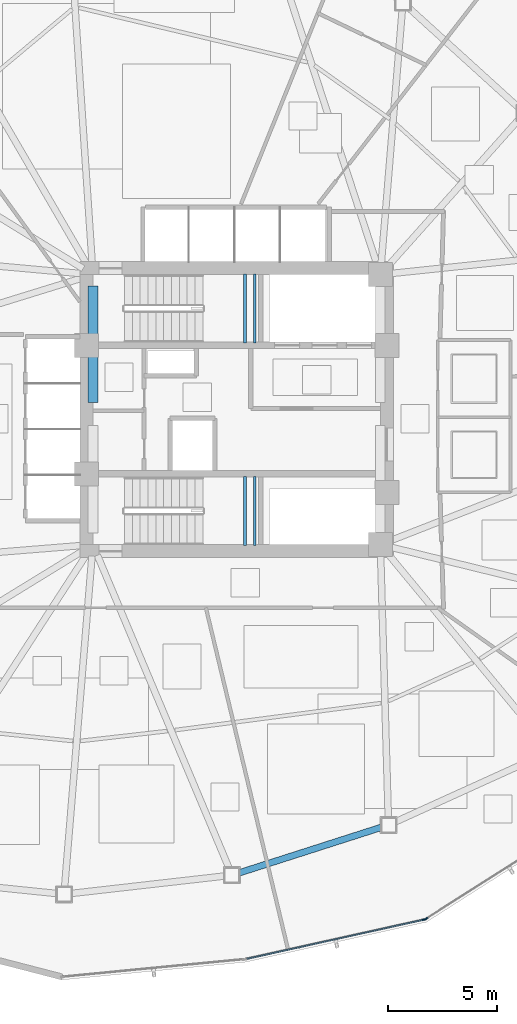
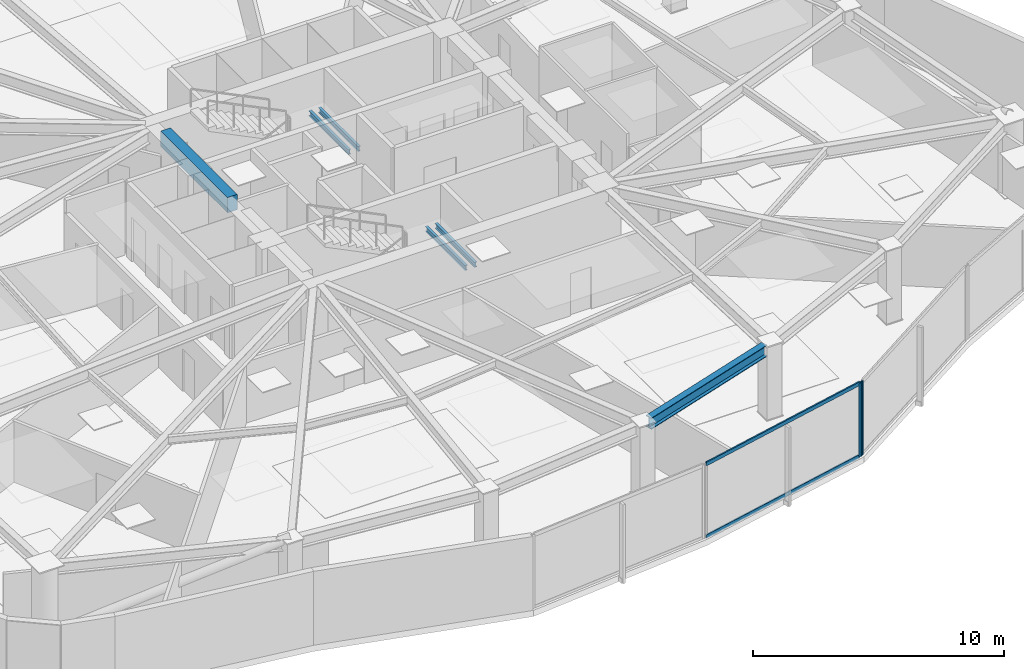
# One storey, part 5 of 18: 6 beams, 4 members, 2 elements without a shape of their own.
"""IFC4 building model written with IfcOpenShell, lengths in metres."""

from ifc_helpers import new_model, si_unit, direction, frame, origin, origin_2d, place, context, subcontext, project, spatial, rectangle, hollow_rectangle, i_section, extrude, source, transform, mapped, material, layer, layer_set, material_profile, profile_set, type_object, type_shapes, element, aggregate, save


model = new_model("IFC4")

# Units and contexts
model_context = context("Model", 3, precision=1e-05, world=origin(), true_north=direction((0.0, 1.0)))
body_context = subcontext(model_context, "Body", "Model", "MODEL_VIEW")
ifc_project = project(units=[si_unit("LENGTHUNIT", "METRE"), si_unit("AREAUNIT", "SQUARE_METRE"), si_unit("VOLUMEUNIT", "CUBIC_METRE"), si_unit("PLANEANGLEUNIT", "RADIAN"), si_unit("MASSUNIT", "GRAM", prefix="KILO")], contexts=[model_context])

# Site, building, storey
site_placement = place(None, origin())
site = spatial("IfcSite", under=ifc_project, at=site_placement, CompositionType="ELEMENT")
building_placement = place(site_placement, origin())
building = spatial("IfcBuilding", under=site, at=building_placement, Name="Tavelor Broadcast Tower", CompositionType="ELEMENT")
storey_placement = place(building_placement, frame((0.0, 0.0, 62.699951171875)))
storey = spatial("IfcBuildingStorey", under=building, at=storey_placement, Name="L14", CompositionType="ELEMENT", Elevation=62.699951171875)

# Beams
ifc_material_1 = material(Name="Concrete C40/50", Category="concrete")
ifc_material_profile_1 = material_profile(ifc_material_1, rectangle(XDim=0.449951171875, YDim=0.75, at=origin_2d()), Name="RC 450x750")
ifc_profile_set_1 = profile_set([ifc_material_profile_1], Name="Concrete C40/50")
beam_type_1 = type_object("IfcBeamType", Name="Basement Core Trim Beam 450x750", PredefinedType="BEAM", material=ifc_profile_set_1)
beam_1_placement = place(storey_placement, frame((43.39990234375, 45.327880859375, 3.22509765625), z_axis=(0.0, 1.0, 0.0), x_axis=(-1.0, 0.0, 0.0)))
element("IfcBeam", 1, at=beam_1_placement, inside=storey, type_object=beam_type_1, Name="L14 Core West-N Tie Girder", PredefinedType="BEAM", context=body_context, shape_type="SweptSolid", body=[
    extrude(rectangle(XDim=0.449951171875, YDim=0.75, at=origin_2d()), origin(), (0.0, 0.0, 1.0), 5.34423828125),
])
ifc_material_2 = material(Name="Steel S355", Category="steel")
ifc_material_profile_2 = material_profile(ifc_material_2, i_section(OverallWidth=0.300048828125, OverallDepth=0.550048828125, WebThickness=0.014892578125, FlangeThickness=0.029052734375, at=origin_2d()), Name="HEB 550")
ifc_profile_set_2 = profile_set([ifc_material_profile_2], Name="Steel S355")
beam_type_2 = type_object("IfcBeamType", Name="Perimeter Spandrel Beam T2 HEB 550", PredefinedType="SPANDREL", material=ifc_profile_set_2)
beam_2_placement = place(storey_placement, frame((50.106689453125, 23.720458984375, 3.324951171875), z_axis=(0.952297103541, 0.305172453849, 0.0), x_axis=(-0.305172453849, 0.952297103541, 0.0)))
element("IfcBeam", 2, at=beam_2_placement, inside=storey, type_object=beam_type_2, Name="L14 Framed-Tube Ring Spandrel 10", PredefinedType="SPANDREL", context=body_context, shape_type="SweptSolid", body=[
    extrude(i_section(OverallWidth=0.300048828125, OverallDepth=0.550048828125, WebThickness=0.014892578125, FlangeThickness=0.029052734375, at=origin_2d()), origin(), (0.0, 0.0, 1.0), 6.876953125),
])
ifc_material_profile_3 = material_profile(ifc_material_2, i_section(OverallWidth=0.1201171875, OverallDepth=0.239990234375, WebThickness=0.006103515625, FlangeThickness=0.009765625, at=origin_2d()), Name="IPE 240")
ifc_profile_set_3 = profile_set([ifc_material_profile_3], Name="Steel S355")
beam_type_3 = type_object("IfcBeamType", Name="Stairwell Landing Support Trimmer Beam IPE240", PredefinedType="BEAM", material=ifc_profile_set_3)
for number, where, z_axis, x_axis, name in (
    (3, (50.385009765625, 48.06005859375, 1.635009765625), (0.0, 1.0, 0.0), (-1.0, 0.0, 0.0), "L14 Stair Landing Support Beam 53"),
    (4, (50.824951171875, 48.06005859375, 1.635009765625), (0.0, 1.0, 0.0), (-1.0, 0.0, 0.0), "L14 Stair Landing Support Beam 54"),
    (5, (50.385009765625, 38.760009765625, 1.635009765625), (0.0, 1.0, 0.0), (-1.0, 0.0, 0.0), "L14 Stair Landing Support Beam 267"),
    (6, (50.824951171875, 38.760009765625, 1.635009765625), (0.0, 1.0, 0.0), (-1.0, 0.0, 0.0), "L14 Stair Landing Support Beam 268"),
):
    element("IfcBeam", number, at=place(storey_placement, frame(where, z_axis=z_axis, x_axis=x_axis)), inside=storey, type_object=beam_type_3, Name=name, PredefinedType="BEAM", context=body_context, shape_type="SweptSolid", body=[
        extrude(i_section(OverallWidth=0.1201171875, OverallDepth=0.239990234375, WebThickness=0.006103515625, FlangeThickness=0.009765625, at=origin_2d()), origin(), (0.0, 0.0, 1.0), 3.179931640625),
    ])

# Curtain wall, member
ifc_material_3 = material(Name="Architectural Anodized Aluminium", Category="aluminium")
ifc_layer = layer(ifc_material_3, 0.179931640625)
ifc_layer_set = layer_set([ifc_layer], Name="Architectural Anodized Aluminium")
curtain_wall_type = type_object("IfcCurtainWallType", Name="Tower Low-Zone Unitised Curtain Wall CW02", PredefinedType="NOTDEFINED", material=ifc_layer_set)
curtain_wall_1_placement = place(storey_placement, origin())
curtain_wall_1 = element("IfcCurtainWall", 7, at=curtain_wall_1_placement, inside=storey, type_object=curtain_wall_type, Name="L14 Curtain Wall CW02 Run 126", PredefinedType="NOTDEFINED")
ifc_material_profile_4 = material_profile(ifc_material_3, hollow_rectangle(XDim=0.06494140625, YDim=0.179931640625, WallThickness=0.02197265625, at=origin_2d()), Name="RHS 65x180x22")
ifc_profile_set_4 = profile_set([ifc_material_profile_4], Name="Architectural Anodized Aluminium")
member_type_1 = type_object("IfcMemberType", Name="CW02 Extruded Aluminium Mullion 65x180", PredefinedType="MULLION", material=ifc_profile_set_4)
shared_shape_1 = source(origin(), body_context, "Body", "SweptSolid", [
    extrude(hollow_rectangle(XDim=0.06494140625, YDim=0.179931640625, WallThickness=0.02197265625, at=origin_2d()), origin(), (0.0, 0.0, 1.0), 3.60009765625),
])
type_shapes(member_type_1, [shared_shape_1])
member_1_placement = place(storey_placement, frame((58.61767578125, 21.579345703125, 0.0), z_axis=(0.0, 0.0, 1.0), x_axis=(-0.216016673522, 0.976389674649, 0.0)))
member_1 = element("IfcMember", 8, at=member_1_placement, type_object=member_type_1, Name="CW02 mullion 2", PredefinedType="MULLION", context=body_context, shape_type="MappedRepresentation", body=[
    mapped(shared_shape_1, transform((0.0, 0.0, 0.0), scale=1.0)),
])

curtain_wall_2_placement = place(storey_placement, origin())
curtain_wall_2 = element("IfcCurtainWall", 9, at=curtain_wall_2_placement, inside=storey, type_object=curtain_wall_type, Name="L14 Curtain Wall CW02 Run 127", PredefinedType="NOTDEFINED")
member_2_placement = place(storey_placement, frame((58.703857421875, 21.615234375, 0.0), z_axis=(0.0, 0.0, 1.0), x_axis=(-0.537579486414, 0.84321307852, 0.0)))
member_2 = element("IfcMember", 10, at=member_2_placement, type_object=member_type_1, Name="CW02 mullion 1", PredefinedType="MULLION", context=body_context, shape_type="MappedRepresentation", body=[
    mapped(shared_shape_1, transform((0.0, 0.0, 0.0), scale=1.0)),
])
aggregate(curtain_wall_2, [member_2])

# Member
ifc_material_profile_5 = material_profile(ifc_material_3, hollow_rectangle(XDim=0.06494140625, YDim=0.179931640625, WallThickness=0.02197265625, at=origin_2d()), Name="RHS 65x180x22")
ifc_profile_set_5 = profile_set([ifc_material_profile_5], Name="Architectural Anodized Aluminium")
member_type_2 = type_object("IfcMemberType", Name="CW02 Extruded Aluminium Transom 65x180", PredefinedType="USERDEFINED", material=ifc_profile_set_5)
shared_shape_2 = source(origin(), body_context, "Body", "SweptSolid", [
    extrude(hollow_rectangle(XDim=0.06494140625, YDim=0.179931640625, WallThickness=0.02197265625, at=origin_2d()), origin(), (0.0, 0.0, 1.0), 8.306396484375),
])
type_shapes(member_type_2, [shared_shape_2])
member_3_placement = place(storey_placement, frame((50.4755859375, 19.778076171875, 0.032470703125), z_axis=(0.976393396193, 0.215999851554, 0.0), x_axis=(-0.215999851554, 0.976393396193, 0.0)))
member_3 = element("IfcMember", 11, at=member_3_placement, type_object=member_type_2, Name="CW02 transom 1.1", ObjectType="TRANSOM", PredefinedType="USERDEFINED", context=body_context, shape_type="MappedRepresentation", body=[
    mapped(shared_shape_2, transform((0.0, 0.0, 0.0), scale=1.0)),
])

member_4_placement = place(storey_placement, frame((50.4755859375, 19.778076171875, 3.567626953125), z_axis=(0.976393396193, 0.215999851554, 0.0), x_axis=(-0.215999851554, 0.976393396193, 0.0)))
member_4 = element("IfcMember", 12, at=member_4_placement, type_object=member_type_2, Name="CW02 transom 1.2", ObjectType="TRANSOM", PredefinedType="USERDEFINED", context=body_context, shape_type="MappedRepresentation", body=[
    mapped(shared_shape_2, transform((0.0, 0.0, 0.0), scale=1.0)),
])

aggregate(curtain_wall_1, [member_1, member_3, member_4])

save(model, "model.ifc")
